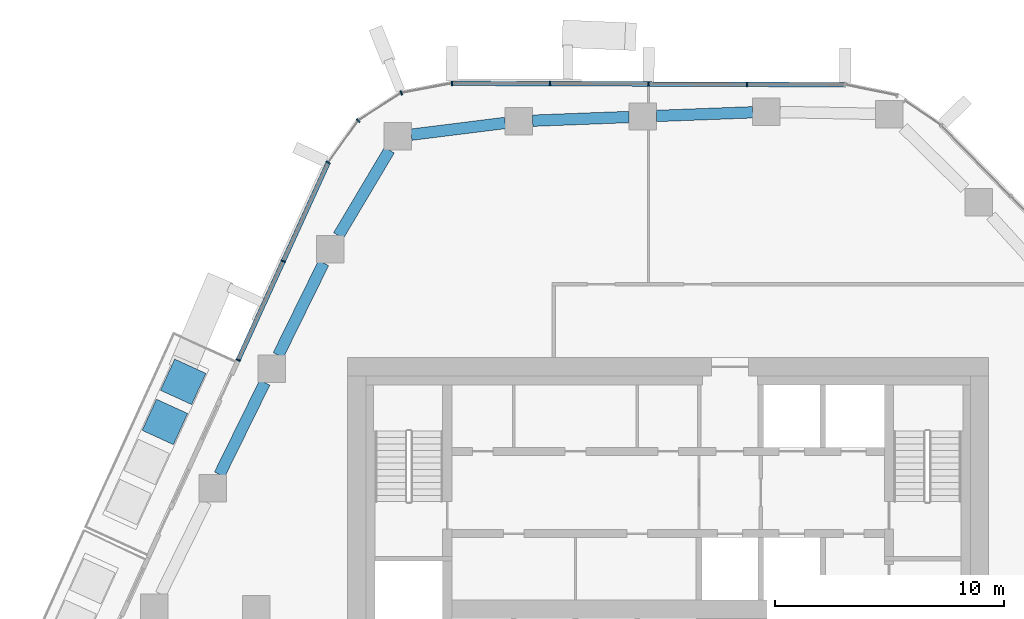
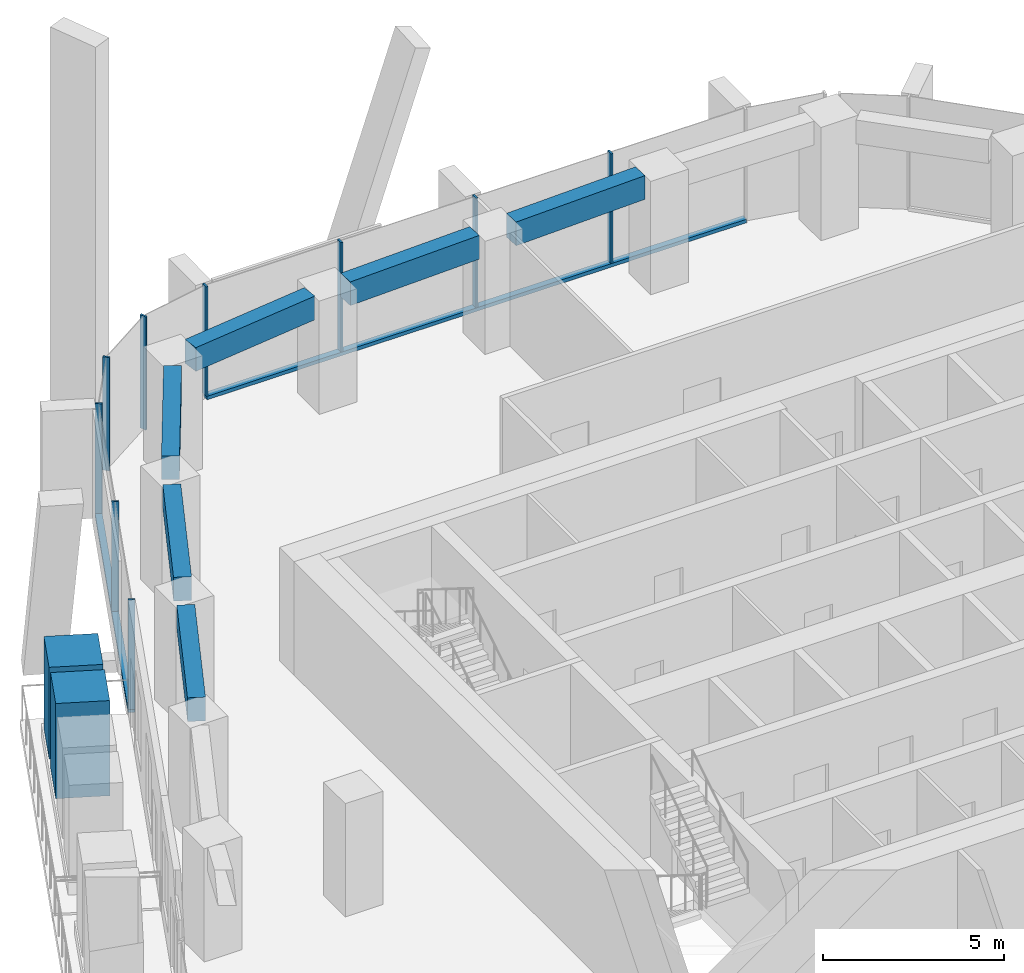
# One storey, part 5 of 19: 13 members, 6 beams, 3 elements without a shape of their own.
"""IFC4 building model written with IfcOpenShell, lengths in metres."""

import ifcopenshell
import ifcopenshell.guid

model = None  # the IFC model being written
_history = None  # IfcOwnerHistory: only IFC2X3 demands one
_inside = {}  # id of a spatial element -> (the spatial element, [elements in it])
_under = {}  # id of a project, library or spatial element -> (it, [spatial elements below it])
_declared = {}  # id of a project -> (the project, [libraries it declares])
_typed = {}  # id of a type object -> (the type object, [elements of that type])
_made_of = {}  # id of a material, layer set ... -> (it, [elements and type objects made of it])


def new_model(schema):
    """Start an empty IFC model of exactly this schema.

    Asked for "IFC4X3", IfcOpenShell would pick the latest addendum, in which some entities
    have other attributes; the version numbers below select the first issue.
    IFC2X3 requires an IfcOwnerHistory on every rooted entity: one is made here for all.
    """
    global model, _history
    if schema == "IFC4X3":
        model = ifcopenshell.file(schema_version=(4, 3, 0, 0))
    else:
        model = ifcopenshell.file(schema=schema)
    _inside.clear()
    _under.clear()
    _declared.clear()
    _typed.clear()
    _made_of.clear()
    _history = None
    if model.schema == "IFC2X3":
        org = make("IfcOrganization", Name="unknown")
        user = make(
            "IfcPersonAndOrganization",
            ThePerson=make("IfcPerson", FamilyName="unknown"),
            TheOrganization=org,
        )
        app = make(
            "IfcApplication",
            ApplicationDeveloper=org,
            Version="unknown",
            ApplicationFullName="unknown",
            ApplicationIdentifier="unknown",
        )
        _history = make(
            "IfcOwnerHistory",
            OwningUser=user,
            OwningApplication=app,
            ChangeAction="ADDED",
            CreationDate=0,
        )
    return model


def make(cls, **values):
    """One entity of the class cls with the attributes given. An attribute that is None is left unset."""
    return model.create_entity(
        cls, **{name: value for name, value in values.items() if value is not None}
    )


def rooted(cls, **values):
    """An entity with a GlobalId (a new one), such as an element, a storey or a relation."""
    return make(cls, GlobalId=ifcopenshell.guid.new(), OwnerHistory=_history, **values)


def si_unit(unit_type, name, prefix=None):
    """IfcSIUnit, for example si_unit("LENGTHUNIT", "METRE", prefix="MILLI")."""
    return make("IfcSIUnit", UnitType=unit_type, Prefix=prefix, Name=name)


def assignment(units):
    """IfcUnitAssignment: the units of a project."""
    return None if units is None else make("IfcUnitAssignment", Units=units)


def point(xyz):
    """IfcCartesianPoint."""
    return None if xyz is None else make("IfcCartesianPoint", Coordinates=xyz)


def direction(xyz):
    """IfcDirection."""
    return None if xyz is None else make("IfcDirection", DirectionRatios=xyz)


def frame(location, z_axis=None, x_axis=None):
    """IfcAxis2Placement3D, a coordinate frame: its origin and axes. An axis left out is left unset."""
    return make(
        "IfcAxis2Placement3D",
        Location=point(location),
        Axis=direction(z_axis),
        RefDirection=direction(x_axis),
    )


def frame_2d(location, x_axis=None):
    """IfcAxis2Placement2D, a coordinate frame in the plane: its origin and x axis."""
    return make(
        "IfcAxis2Placement2D", Location=point(location), RefDirection=direction(x_axis)
    )


def origin():
    """The frame at (0, 0, 0) with its axes left unset."""
    return frame((0.0, 0.0, 0.0))


def origin_2d():
    """The frame at (0, 0) in the plane with its x axis left unset."""
    return frame_2d((0.0, 0.0))


def place(relative_to, where):
    """IfcLocalPlacement: puts the frame where relative to a parent placement (None: the world)."""
    return make(
        "IfcLocalPlacement", PlacementRelTo=relative_to, RelativePlacement=where
    )


def context(
    kind, dimensions, precision=None, world=None, true_north=None, identifier=None
):
    """IfcGeometricRepresentationContext, for example the 3D "Model" context."""
    return make(
        "IfcGeometricRepresentationContext",
        ContextIdentifier=identifier,
        ContextType=kind,
        CoordinateSpaceDimension=dimensions,
        Precision=precision,
        WorldCoordinateSystem=world,
        TrueNorth=true_north,
    )


def subcontext(parent, identifier, kind, view, scale=None):
    """IfcGeometricRepresentationSubContext, for example "Body" below "Model"."""
    return make(
        "IfcGeometricRepresentationSubContext",
        ContextIdentifier=identifier,
        ContextType=kind,
        ParentContext=parent,
        TargetScale=scale,
        TargetView=view,
    )


def project(units=None, contexts=None):
    """IfcProject with its units and contexts."""
    return rooted(
        "IfcProject",
        Name="project",
        RepresentationContexts=contexts,
        UnitsInContext=assignment(units),
    )


def spatial(cls, under=None, at=None, **own):
    """A site, building, storey or space (cls), placed at a placement, below another one or the project."""
    s = rooted(cls, ObjectPlacement=at, **own)
    if under is not None:
        _under.setdefault(under.id(), (under, []))[1].append(s)
    return s


def profile(cls, at=None, kind="AREA", **sizes):
    """A parametric profile (cls). Its sizes go by their IFC names, for example OverallWidth=200.0."""
    return make(cls, ProfileType=kind, Position=at, **sizes)


def rectangle(**sizes):
    """IfcRectangleProfileDef."""
    return profile("IfcRectangleProfileDef", **sizes)


def extrude(swept, where, along, depth):
    """IfcExtrudedAreaSolid: the profile swept, set in the frame where, extruded along a direction by depth."""
    return make(
        "IfcExtrudedAreaSolid",
        SweptArea=swept,
        Position=where,
        ExtrudedDirection=direction(along),
        Depth=depth,
    )


def shape(context_of_items, identifier, shape_type, items):
    """IfcShapeRepresentation: the items that make up one representation, for example the "Body"."""
    return make(
        "IfcShapeRepresentation",
        ContextOfItems=context_of_items,
        RepresentationIdentifier=identifier,
        RepresentationType=shape_type,
        Items=items,
    )


def material(Name=None, Category=None):
    """IfcMaterial."""
    return make("IfcMaterial", Name=Name, Category=Category)


def layer(
    of_material, thickness, ventilated=None, Name=None, Category=None, Priority=None
):
    """IfcMaterialLayer: one layer of a wall or slab, of a material (None: an air gap)."""
    return make(
        "IfcMaterialLayer",
        Material=of_material,
        LayerThickness=thickness,
        IsVentilated=ventilated,
        Name=Name,
        Category=Category,
        Priority=Priority,
    )


def layer_set(layers, Name=None):
    """IfcMaterialLayerSet."""
    return make("IfcMaterialLayerSet", MaterialLayers=layers, LayerSetName=Name)


def material_profile(
    of_material, cross_section, Name=None, Category=None, Priority=None
):
    """IfcMaterialProfile: a cross section and its material."""
    return make(
        "IfcMaterialProfile",
        Name=Name,
        Material=of_material,
        Profile=cross_section,
        Priority=Priority,
        Category=Category,
    )


def profile_set(profiles, Name=None, composite=None):
    """IfcMaterialProfileSet."""
    return make(
        "IfcMaterialProfileSet",
        Name=Name,
        MaterialProfiles=profiles,
        CompositeProfile=composite,
    )


def made_of(thing, what):
    """Note that an element or type object is made of a material, layer set ...; save() writes the relation."""
    if what is not None:
        _made_of.setdefault(what.id(), (what, []))[1].append(thing)
    return thing


def type_object(cls, material=None, **own):
    """A type object (cls), such as IfcWallType, which elements share."""
    return made_of(rooted(cls, **own), material)


def element(
    cls,
    number,
    at=None,
    inside=None,
    cuts=None,
    type_object=None,
    material=None,
    context=None,
    identifier="Body",
    shape_type=None,
    held_by="IfcProductDefinitionShape",
    body=None,
    shapes=None,
    **own,
):
    """One element of the class cls, such as IfcWall. Its Tag is "e" and its number.

    at: its placement. inside: the storey or other place that contains it. cuts: it is an
    opening in that element (IfcRelVoidsElement). A single representation is given by context,
    identifier, shape_type and body (its items); several are given by shapes. held_by: the class
    of the entity that holds the representations. save() writes the other relations.
    """
    e = rooted(cls, Tag="e%d" % number, ObjectPlacement=at, **own)
    if body is not None:
        shapes = [shape(context, identifier, shape_type, body)]
    if shapes is not None:
        e.Representation = make(held_by, Representations=shapes)
    if inside is not None:
        _inside.setdefault(inside.id(), (inside, []))[1].append(e)
    if cuts is not None:
        rooted(
            "IfcRelVoidsElement", RelatingBuildingElement=cuts, RelatedOpeningElement=e
        )
    if type_object is not None:
        _typed.setdefault(type_object.id(), (type_object, []))[1].append(e)
    return made_of(e, material)


def aggregate(whole, parts):
    """IfcRelAggregates: a whole, such as a stair, and the parts it consists of."""
    return rooted("IfcRelAggregates", RelatingObject=whole, RelatedObjects=parts)


def save(model, path):
    """Write the relations noted so far, then the file.

    IfcRelAggregates (storeys below a building ...), IfcRelContainedInSpatialStructure (elements
    in a storey), IfcRelDefinesByType, IfcRelAssociatesMaterial and IfcRelDeclares: one each for
    every whole, place, type object, material and project.
    """
    for whole, parts in _under.values():
        aggregate(whole, parts)
    for where, things in _inside.values():
        rooted(
            "IfcRelContainedInSpatialStructure",
            RelatedElements=things,
            RelatingStructure=where,
        )
    for kind, things in _typed.values():
        rooted("IfcRelDefinesByType", RelatedObjects=things, RelatingType=kind)
    for what, things in _made_of.values():
        rooted("IfcRelAssociatesMaterial", RelatedObjects=things, RelatingMaterial=what)
    for by, libraries in _declared.values():
        rooted("IfcRelDeclares", RelatingContext=by, RelatedDefinitions=libraries)
    model.write(path)


model = new_model("IFC4")

# Units and contexts
model_context = context("Model", 3, precision=1e-05, world=origin(), true_north=direction((0.0, 1.0)))
body_context = subcontext(model_context, "Body", "Model", "MODEL_VIEW")
ifc_project = project(units=[si_unit("LENGTHUNIT", "METRE"), si_unit("AREAUNIT", "SQUARE_METRE"), si_unit("VOLUMEUNIT", "CUBIC_METRE"), si_unit("PLANEANGLEUNIT", "RADIAN"), si_unit("MASSUNIT", "GRAM", prefix="KILO")], contexts=[model_context])

# Site, building, storey
site_placement = place(None, origin())
site = spatial("IfcSite", under=ifc_project, at=site_placement, CompositionType="ELEMENT")
building_placement = place(site_placement, origin())
building = spatial("IfcBuilding", under=site, at=building_placement, Name="Dongbaek Canopy Tower", CompositionType="ELEMENT")
storey_placement = place(building_placement, frame((0.0, 0.0, 198.800048828125)))
storey = spatial("IfcBuildingStorey", under=building, at=storey_placement, Name="L41", CompositionType="ELEMENT", Elevation=198.800048828125)

# Curtain wall, members
ifc_material_1 = material(Name="Aluminium 6063-T6 pale anodised", Category="aluminium")
ifc_layer = layer(ifc_material_1, 0.199951171875)
ifc_layer_set = layer_set([ifc_layer], Name="CW-1 unitised tower curtain wall")
curtain_wall_type = type_object("IfcCurtainWallType", Name="CW-1 unitised tower curtain wall", PredefinedType="NOTDEFINED", material=ifc_layer_set)
curtain_wall_1_placement = place(storey_placement, origin())
curtain_wall_1 = element("IfcCurtainWall", 1, at=curtain_wall_1_placement, inside=storey, type_object=curtain_wall_type, Name="CW-1 curtain wall F1.1", PredefinedType="NOTDEFINED")
ifc_material_2 = material(Name="Aluminium 6063-T6 pale anodised", Category="aluminium")
ifc_material_profile_1 = material_profile(ifc_material_2, rectangle(XDim=0.199951171875, YDim=0.06005859375, at=origin_2d()), Name="CW-1 mullion 60 x 200")
ifc_profile_set_1 = profile_set([ifc_material_profile_1], Name="Aluminium 6063-T6 pale anodised")
member_type_1 = type_object("IfcMemberType", Name="CW-1 mullion 60 x 200", PredefinedType="MULLION", material=ifc_profile_set_1)
member_1_placement = place(storey_placement, frame((3.4384765625, 22.9326171875, 0.119873046875), z_axis=(0.0, 0.0, 1.0), x_axis=(0.003675442583, 0.999993245538, 0.0)))
member_1 = element("IfcMember", 2, at=member_1_placement, type_object=member_type_1, Name="CW-1 mullion F1.1.2", PredefinedType="MULLION", context=body_context, shape_type="SweptSolid", body=[
    extrude(rectangle(XDim=0.199951171875, YDim=0.06005859375, at=origin_2d()), origin(), (0.0, 0.0, 1.0), 3.7001953125),
])
member_2_placement = place(storey_placement, frame((-0.86083984375, 22.948486328125, 0.119873046875), z_axis=(0.0, 0.0, 1.0), x_axis=(0.003675442583, 0.999993245538, 0.0)))
member_2 = element("IfcMember", 3, at=member_2_placement, type_object=member_type_1, Name="CW-1 mullion F1.1.3", PredefinedType="MULLION", context=body_context, shape_type="SweptSolid", body=[
    extrude(rectangle(XDim=0.199951171875, YDim=0.06005859375, at=origin_2d()), origin(), (0.0, 0.0, 1.0), 3.7001953125),
])
member_3_placement = place(storey_placement, frame((-5.16015625, 22.96435546875, 0.119873046875), z_axis=(0.0, 0.0, 1.0), x_axis=(0.003675442583, 0.999993245538, 0.0)))
member_3 = element("IfcMember", 4, at=member_3_placement, type_object=member_type_1, Name="CW-1 mullion F1.1.4", PredefinedType="MULLION", context=body_context, shape_type="SweptSolid", body=[
    extrude(rectangle(XDim=0.199951171875, YDim=0.06005859375, at=origin_2d()), origin(), (0.0, 0.0, 1.0), 3.7001953125),
])
member_4_placement = place(storey_placement, frame((-9.44970703125, 22.97998046875, 0.119873046875), z_axis=(0.0, 0.0, 1.0), x_axis=(0.003675442583, 0.999993245538, 0.0)))
member_4 = element("IfcMember", 5, at=member_4_placement, type_object=member_type_1, Name="CW-1 mullion F1.1.5", PredefinedType="MULLION", context=body_context, shape_type="SweptSolid", body=[
    extrude(rectangle(XDim=0.199951171875, YDim=0.06005859375, at=origin_2d()), origin(), (0.0, 0.0, 1.0), 3.7001953125),
])

curtain_wall_2_placement = place(storey_placement, origin())
curtain_wall_2 = element("IfcCurtainWall", 6, at=curtain_wall_2_placement, inside=storey, type_object=curtain_wall_type, Name="CW-1 curtain wall K2.1", PredefinedType="NOTDEFINED")
member_5_placement = place(storey_placement, frame((-11.660888671875, 22.560546875, 0.0), z_axis=(0.0, 0.0, 1.0), x_axis=(-0.369611132815, 0.929186531596, 0.0)))
member_5 = element("IfcMember", 7, at=member_5_placement, type_object=member_type_1, Name="CW-1 mullion K2.1.2", PredefinedType="MULLION", context=body_context, shape_type="SweptSolid", body=[
    extrude(rectangle(XDim=0.199951171875, YDim=0.06005859375, at=origin_2d()), origin(), (0.0, 0.0, 1.0), 3.820068359375),
])
member_6_placement = place(storey_placement, frame((-13.5478515625, 21.351806640625, 0.0), z_axis=(0.0, 0.0, 1.0), x_axis=(-0.689541954214, 0.724245741015, 0.0)))
member_6 = element("IfcMember", 8, at=member_6_placement, type_object=member_type_1, Name="CW-1 mullion K2.1.3", PredefinedType="MULLION", context=body_context, shape_type="SweptSolid", body=[
    extrude(rectangle(XDim=0.199951171875, YDim=0.06005859375, at=origin_2d()), origin(), (0.0, 0.0, 1.0), 3.820068359375),
])
member_7_placement = place(storey_placement, frame((-14.853515625, 19.5185546875, 0.0), z_axis=(0.0, 0.0, 1.0), x_axis=(-0.814571085376, 0.580063743798, 0.0)))
member_7 = element("IfcMember", 9, at=member_7_placement, type_object=member_type_1, Name="CW-1 mullion K2.1.4", PredefinedType="MULLION", context=body_context, shape_type="SweptSolid", body=[
    extrude(rectangle(XDim=0.199951171875, YDim=0.06005859375, at=origin_2d()), origin(), (0.0, 0.0, 1.0), 3.820068359375),
])
aggregate(curtain_wall_2, [member_5, member_6, member_7])

curtain_wall_3_placement = place(storey_placement, origin())
curtain_wall_3 = element("IfcCurtainWall", 10, at=curtain_wall_3_placement, inside=storey, type_object=curtain_wall_type, Name="CW-1 curtain wall F2.1", PredefinedType="NOTDEFINED")
member_8_placement = place(storey_placement, frame((-16.818603515625, 15.207275390625, 0.119873046875), z_axis=(0.0, 0.0, 1.0), x_axis=(-0.909932941374, 0.414755400449, 0.0)))
member_8 = element("IfcMember", 11, at=member_8_placement, type_object=member_type_1, Name="CW-1 mullion F2.1.2", PredefinedType="MULLION", context=body_context, shape_type="SweptSolid", body=[
    extrude(rectangle(XDim=0.199951171875, YDim=0.06005859375, at=origin_2d()), origin(), (0.0, 0.0, 1.0), 3.7001953125),
])
member_9_placement = place(storey_placement, frame((-18.78759765625, 10.88720703125, 0.119873046875), z_axis=(0.0, 0.0, 1.0), x_axis=(-0.909932941374, 0.414755400449, 0.0)))
member_9 = element("IfcMember", 12, at=member_9_placement, type_object=member_type_1, Name="CW-1 mullion F2.1.3", PredefinedType="MULLION", context=body_context, shape_type="SweptSolid", body=[
    extrude(rectangle(XDim=0.199951171875, YDim=0.06005859375, at=origin_2d()), origin(), (0.0, 0.0, 1.0), 3.7001953125),
])

# Member
ifc_material_3 = material(Name="Aluminium 6063-T6 pale anodised", Category="aluminium")
ifc_material_profile_2 = material_profile(ifc_material_3, rectangle(XDim=0.199951171875, YDim=0.1201171875, at=origin_2d()), Name="CW-1 transom 120 x 200")
ifc_profile_set_2 = profile_set([ifc_material_profile_2], Name="Aluminium 6063-T6 pale anodised")
member_type_2 = type_object("IfcMemberType", Name="CW-1 transom 120 x 200", PredefinedType="USERDEFINED", material=ifc_profile_set_2)
member_10_placement = place(storey_placement, frame((7.727783203125, 22.9169921875, 0.06005859375), z_axis=(-0.99999327696, 0.003666883632, 0.0), x_axis=(-0.003666883632, -0.99999327696, 0.0)))
member_10 = element("IfcMember", 13, at=member_10_placement, type_object=member_type_2, Name="CW-1 transom F1.1.1", ObjectType="TRANSOM", PredefinedType="USERDEFINED", context=body_context, shape_type="SweptSolid", body=[
    extrude(rectangle(XDim=0.199951171875, YDim=0.1201171875, at=origin_2d()), origin(), (0.0, 0.0, 1.0), 17.177490234375),
])

aggregate(curtain_wall_1, [member_1, member_2, member_3, member_4, member_10])

member_11_placement = place(storey_placement, frame((-14.853515625, 19.5185546875, 0.06005859375), z_axis=(-0.414741278018, -0.90993937837, 0.0), x_axis=(0.90993937837, -0.414741278018, 0.0)))
member_11 = element("IfcMember", 14, at=member_11_placement, type_object=member_type_2, Name="CW-1 transom F2.1.1", ObjectType="TRANSOM", PredefinedType="USERDEFINED", context=body_context, shape_type="SweptSolid", body=[
    extrude(rectangle(XDim=0.199951171875, YDim=0.1201171875, at=origin_2d()), origin(), (0.0, 0.0, 1.0), 9.485595703125),
])

aggregate(curtain_wall_3, [member_8, member_9, member_11])

# Beams
ifc_material_4 = material(Name="Concrete C70", Category="concrete")
ifc_material_profile_3 = material_profile(ifc_material_4, rectangle(XDim=0.5, YDim=0.800048828125, at=origin_2d()), Name="RC EDGE BEAM 500x800 C70")
ifc_profile_set_3 = profile_set([ifc_material_profile_3], Name="Concrete C70")
beam_type = type_object("IfcBeamType", Name="RC EDGE BEAM 500x800 C70", PredefinedType="BEAM", material=ifc_profile_set_3)
beam_1_placement = place(storey_placement, frame((-19.6005859375, 5.886962890625, 3.419921875), z_axis=(0.441534821152, 0.897244114893, 0.0), x_axis=(-0.897244114893, 0.441534821152, 0.0)))
element("IfcBeam", 15, at=beam_1_placement, inside=storey, type_object=beam_type, Name="EDGEBEAM:L41:10", PredefinedType="BEAM", context=body_context, shape_type="SweptSolid", body=[
    extrude(rectangle(XDim=0.5, YDim=0.800048828125, at=origin_2d()), origin(), (0.0, 0.0, 1.0), 4.478271484375),
])
beam_2_placement = place(storey_placement, frame((-17.032958984375, 11.10498046875, 3.419921875), z_axis=(0.441228982876, 0.89739455351, 0.0), x_axis=(-0.89739455351, 0.441228982876, 0.0)))
element("IfcBeam", 16, at=beam_2_placement, inside=storey, type_object=beam_type, Name="EDGEBEAM:L41:11", PredefinedType="BEAM", context=body_context, shape_type="SweptSolid", body=[
    extrude(rectangle(XDim=0.5, YDim=0.800048828125, at=origin_2d()), origin(), (0.0, 0.0, 1.0), 4.478515625),
])
beam_3_placement = place(storey_placement, frame((-14.40478515625, 16.323974609375, 3.419921875), z_axis=(0.51151247975, 0.859275848061, 0.0), x_axis=(-0.859275848061, 0.51151247975, 0.0)))
element("IfcBeam", 17, at=beam_3_placement, inside=storey, type_object=beam_type, Name="EDGEBEAM:L41:12", PredefinedType="BEAM", context=body_context, shape_type="SweptSolid", body=[
    extrude(rectangle(XDim=0.5, YDim=0.800048828125, at=origin_2d()), origin(), (0.0, 0.0, 1.0), 4.34912109375),
])
beam_4_placement = place(storey_placement, frame((-11.222900390625, 20.73583984375, 3.419921875), z_axis=(0.992289687294, 0.123940213368, 0.0), x_axis=(-0.123940213368, 0.992289687294, 0.0)))
element("IfcBeam", 18, at=beam_4_placement, inside=storey, type_object=beam_type, Name="EDGEBEAM:L41:13", PredefinedType="BEAM", context=body_context, shape_type="SweptSolid", body=[
    extrude(rectangle(XDim=0.5, YDim=0.800048828125, at=origin_2d()), origin(), (0.0, 0.0, 1.0), 4.1328125),
])
beam_5_placement = place(storey_placement, frame((-5.922119140625, 21.345947265625, 3.419921875), z_axis=(0.999268092878, 0.038252824158, 0.0), x_axis=(-0.038252824158, 0.999268092878, 0.0)))
element("IfcBeam", 19, at=beam_5_placement, inside=storey, type_object=beam_type, Name="EDGEBEAM:L41:14", PredefinedType="BEAM", context=body_context, shape_type="SweptSolid", body=[
    extrude(rectangle(XDim=0.5, YDim=0.800048828125, at=origin_2d()), origin(), (0.0, 0.0, 1.0), 4.21240234375),
])
beam_6_placement = place(storey_placement, frame((-0.512939453125, 21.552978515625, 3.419921875), z_axis=(0.999276508887, 0.0380323387, 0.0), x_axis=(-0.0380323387, 0.999276508887, 0.0)))
element("IfcBeam", 20, at=beam_6_placement, inside=storey, type_object=beam_type, Name="EDGEBEAM:L41:15", PredefinedType="BEAM", context=body_context, shape_type="SweptSolid", body=[
    extrude(rectangle(XDim=0.5, YDim=0.800048828125, at=origin_2d()), origin(), (0.0, 0.0, 1.0), 4.2109375),
])

# Members
ifc_material_5 = material(Name="Concrete C40/50 planter mass with planting", Category="concrete")
ifc_material_profile_4 = material_profile(ifc_material_5, rectangle(XDim=1.5, YDim=1.5, at=origin_2d()), Name="Terrace PLANTER shrub mass 1500 x 1500")
ifc_profile_set_4 = profile_set([ifc_material_profile_4], Name="Concrete C40/50 planter mass with planting")
member_type_3 = type_object("IfcMemberType", Name="Terrace PLANTER shrub mass 1500 x 1500", PredefinedType="USERDEFINED", material=ifc_profile_set_4)
member_12_placement = place(storey_placement, frame((-21.188720703125, 9.935546875, 0.419921875), z_axis=(0.0, 0.0, 1.0), x_axis=(-0.909932941374, 0.414755400449, 0.0)))
element("IfcMember", 21, at=member_12_placement, inside=storey, type_object=member_type_3, Name="Planter shrubs L41 1.1", ObjectType="PLANTER", PredefinedType="USERDEFINED", context=body_context, shape_type="SweptSolid", body=[
    extrude(rectangle(XDim=1.5, YDim=1.5, at=origin_2d()), origin(), (0.0, 0.0, 1.0), 3.090087890625),
])
member_13_placement = place(storey_placement, frame((-21.986572265625, 8.18505859375, 0.419921875), z_axis=(0.0, 0.0, 1.0), x_axis=(-0.909932941374, 0.414755400449, 0.0)))
element("IfcMember", 22, at=member_13_placement, inside=storey, type_object=member_type_3, Name="Planter shrubs L41 1.2", ObjectType="PLANTER", PredefinedType="USERDEFINED", context=body_context, shape_type="SweptSolid", body=[
    extrude(rectangle(XDim=1.5, YDim=1.5, at=origin_2d()), origin(), (0.0, 0.0, 1.0), 3.2099609375),
])

save(model, "model.ifc")
